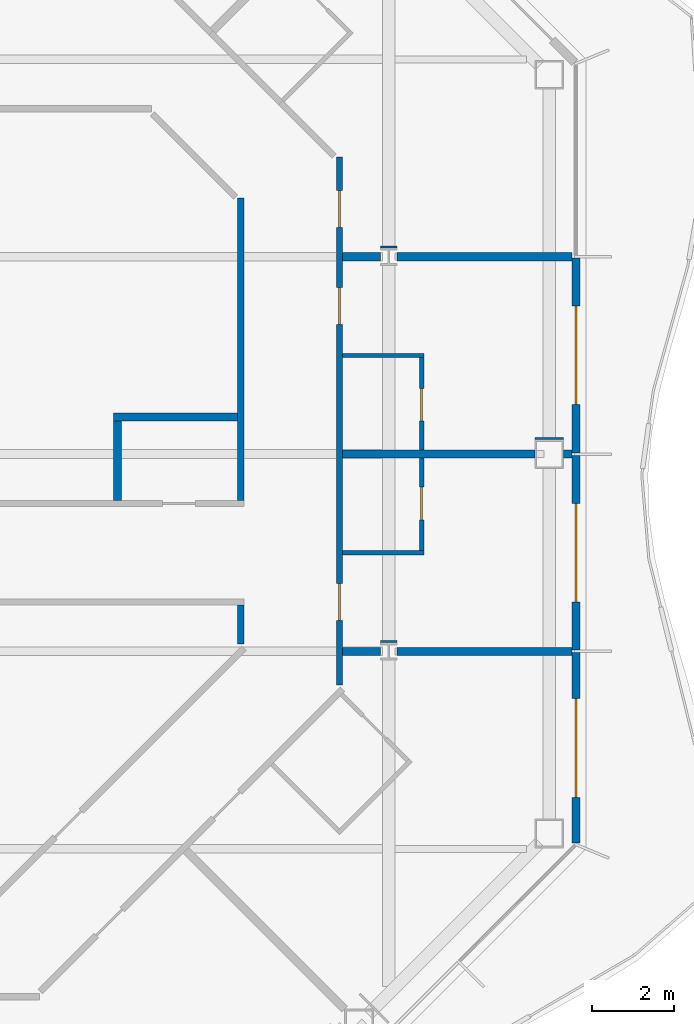
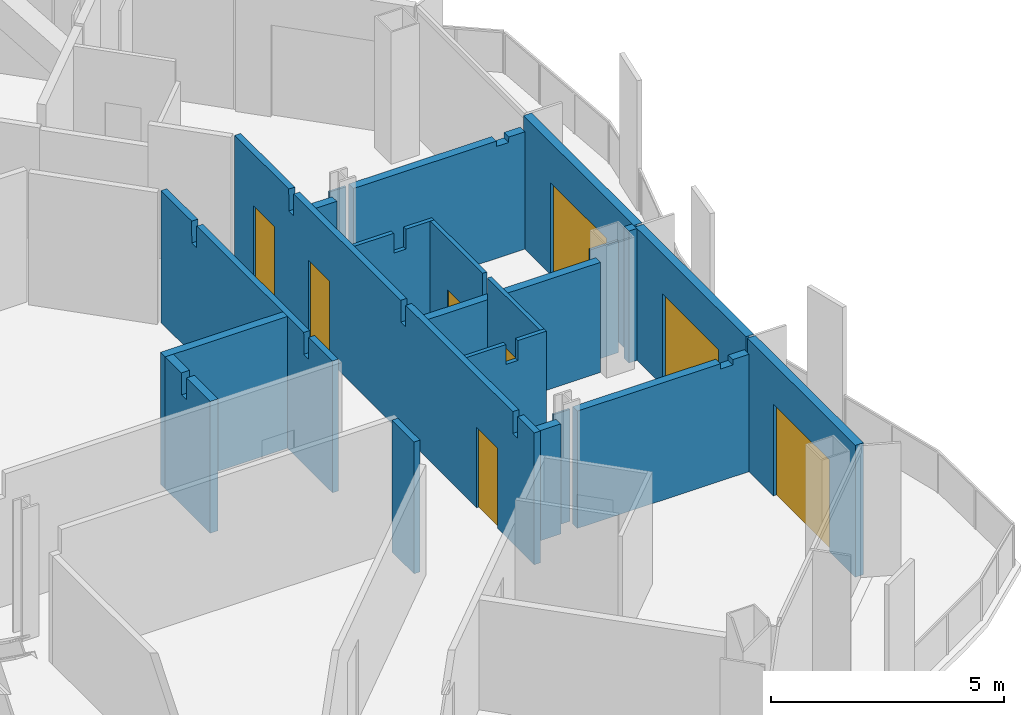
# One storey, part 11 of 21: 21 walls, 8 doors, 8 openings.
"""IFC4 building model written with IfcOpenShell, lengths in metres."""

from ifc_helpers import new_model, si_unit, direction, frame, frame_2d, origin, place, context, subcontext, project, spatial, polyline, rectangle, outline, extrude, material, layer, layer_set, type_object, element, fill, save


model = new_model("IFC4")

# Units and contexts
model_context = context("Model", 3, precision=1e-05, world=origin(), true_north=direction((0.0, 1.0)))
body_context = subcontext(model_context, "Body", "Model", "MODEL_VIEW")
ifc_project = project(units=[si_unit("LENGTHUNIT", "METRE"), si_unit("AREAUNIT", "SQUARE_METRE"), si_unit("VOLUMEUNIT", "CUBIC_METRE"), si_unit("PLANEANGLEUNIT", "RADIAN"), si_unit("MASSUNIT", "GRAM", prefix="KILO")], contexts=[model_context])

# Site, building, storey
site_placement = place(None, origin())
site = spatial("IfcSite", under=ifc_project, at=site_placement, CompositionType="ELEMENT")
building_placement = place(site_placement, origin())
building = spatial("IfcBuilding", under=site, at=building_placement, Name="Cairn Pilgrim Tower", CompositionType="ELEMENT")
storey_placement = place(building_placement, frame((0.0, 0.0, 136.199951171875)))
storey = spatial("IfcBuildingStorey", under=building, at=storey_placement, Name="L33", CompositionType="ELEMENT", Elevation=136.199951171875)

# Wall, opening, door
ifc_material_1 = material(Name="Bronze anodised aluminium insulated sandwich panel with mineral wool fill", Category="aluminium")
ifc_layer_1 = layer(ifc_material_1, 0.199951171875)
ifc_layer_set_1 = layer_set([ifc_layer_1], Name="BRONZE INFILL FRAME WALL 200")
wall_type_1 = type_object("IfcWallType", Name="BRONZE INFILL FRAME WALL 200", PredefinedType="NOTDEFINED", material=ifc_layer_set_1)
wall_1_placement = place(storey_placement, frame((35.75, -4.656494140625, 0.0), z_axis=(0.0, 0.0, 1.0), x_axis=(0.0, 1.0, 0.0)))
wall_1 = element("IfcWall", 1, at=wall_1_placement, inside=storey, type_object=wall_type_1, Name="Bronze infill frame wall IW-E1", PredefinedType="NOTDEFINED", context=body_context, shape_type="SweptSolid", body=[
    extrude(rectangle(XDim=4.62646484375, YDim=0.199951171875, at=frame_2d((2.313232421875, 0.0))), origin(), (0.0, 0.0, 1.0), 3.449951171875),
])
opening_1_placement = place(wall_1_placement, frame((1.1083984375, 0.0, 0.0)))
opening_1 = element("IfcOpeningElement", 2, at=opening_1_placement, cuts=wall_1, Name="Opening 3305B", PredefinedType="OPENING", context=body_context, shape_type="SweptSolid", body=[
    extrude(rectangle(XDim=2.39990234375, YDim=2.39990234375, at=frame_2d((1.199951171875, 1.199951171875))), frame((0.0, 0.10986328125, 0.0), z_axis=(0.0, -1.0, 0.0), x_axis=(1.0, 0.0, 0.0)), (0.0, 0.0, 1.0), 0.219970703125),
])
ifc_material_2 = material(Name="Bronze anodised aluminium frame with tinted low-E glass", Category="aluminium")
door_type_1 = type_object("IfcDoorType", Name="BALCONY SLIDING DOOR 2400x2400", OperationType="DOUBLE_DOOR_SLIDING", PredefinedType="DOOR", material=ifc_material_2)
door_1_placement = place(opening_1_placement, origin())
door_1 = element("IfcDoor", 3, at=door_1_placement, inside=storey, type_object=door_type_1, Name="Balcony sliding door 3305B", OperationType="SINGLE_SWING_LEFT", OverallHeight=2.39990234375, OverallWidth=2.39990234375, PredefinedType="DOOR", context=body_context, shape_type="SweptSolid", body=[
    extrude(rectangle(XDim=2.39990234375, YDim=2.39990234375, at=frame_2d((1.199951171875, 1.199951171875))), frame((0.0, 0.02490234375, 0.0), z_axis=(0.0, -1.0, 0.0), x_axis=(1.0, 0.0, 0.0)), (0.0, 0.0, 1.0), 0.050048828125),
])
fill(opening_1, door_1)

wall_2_placement = place(storey_placement, frame((35.75, 0.030029296875, 0.0), z_axis=(0.0, 0.0, 1.0), x_axis=(0.0, 1.0, 0.0)))
wall_2 = element("IfcWall", 4, at=wall_2_placement, inside=storey, type_object=wall_type_1, Name="Bronze infill frame wall IW-E2", PredefinedType="NOTDEFINED", context=body_context, shape_type="SweptSolid", body=[
    extrude(rectangle(XDim=4.739990234375, YDim=0.199951171875, at=frame_2d((2.3701171875, 0.0))), origin(), (0.0, 0.0, 1.0), 3.449951171875),
])
opening_2_placement = place(wall_2_placement, frame((1.169921875, 0.0, 0.0)))
opening_2 = element("IfcOpeningElement", 5, at=opening_2_placement, cuts=wall_2, Name="Opening 3306B", PredefinedType="OPENING", context=body_context, shape_type="SweptSolid", body=[
    extrude(rectangle(XDim=2.39990234375, YDim=2.39990234375, at=frame_2d((1.199951171875, 1.199951171875))), frame((0.0, 0.10986328125, 0.0), z_axis=(0.0, -1.0, 0.0), x_axis=(1.0, 0.0, 0.0)), (0.0, 0.0, 1.0), 0.219970703125),
])
door_2_placement = place(opening_2_placement, origin())
door_2 = element("IfcDoor", 6, at=door_2_placement, inside=storey, type_object=door_type_1, Name="Balcony sliding door 3306B", OperationType="SINGLE_SWING_LEFT", OverallHeight=2.39990234375, OverallWidth=2.39990234375, PredefinedType="DOOR", context=body_context, shape_type="SweptSolid", body=[
    extrude(rectangle(XDim=2.39990234375, YDim=2.39990234375, at=frame_2d((1.199951171875, 1.199951171875))), frame((0.0, 0.02490234375, 0.0), z_axis=(0.0, -1.0, 0.0), x_axis=(1.0, 0.0, 0.0)), (0.0, 0.0, 1.0), 0.050048828125),
])
fill(opening_2, door_2)

wall_3_placement = place(storey_placement, frame((35.75, 4.830078125, 0.0), z_axis=(0.0, 0.0, 1.0), x_axis=(0.0, 1.0, 0.0)))
wall_3 = element("IfcWall", 7, at=wall_3_placement, inside=storey, type_object=wall_type_1, Name="Bronze infill frame wall IW-E3", PredefinedType="NOTDEFINED", context=body_context, shape_type="SweptSolid", body=[
    extrude(rectangle(XDim=4.739990234375, YDim=0.199951171875, at=frame_2d((2.3701171875, 0.0))), origin(), (0.0, 0.0, 1.0), 3.449951171875),
])
opening_3_placement = place(wall_3_placement, frame((1.169921875, 0.0, 0.0)))
opening_3 = element("IfcOpeningElement", 8, at=opening_3_placement, cuts=wall_3, Name="Opening 3307B", PredefinedType="OPENING", context=body_context, shape_type="SweptSolid", body=[
    extrude(rectangle(XDim=2.39990234375, YDim=2.39990234375, at=frame_2d((1.199951171875, 1.199951171875))), frame((0.0, 0.10986328125, 0.0), z_axis=(0.0, -1.0, 0.0), x_axis=(1.0, 0.0, 0.0)), (0.0, 0.0, 1.0), 0.219970703125),
])
door_3_placement = place(opening_3_placement, origin())
door_3 = element("IfcDoor", 9, at=door_3_placement, inside=storey, type_object=door_type_1, Name="Balcony sliding door 3307B", OperationType="SINGLE_SWING_LEFT", OverallHeight=2.39990234375, OverallWidth=2.39990234375, PredefinedType="DOOR", context=body_context, shape_type="SweptSolid", body=[
    extrude(rectangle(XDim=2.39990234375, YDim=2.39990234375, at=frame_2d((1.199951171875, 1.199951171875))), frame((0.0, 0.02490234375, 0.0), z_axis=(0.0, -1.0, 0.0), x_axis=(1.0, 0.0, 0.0)), (0.0, 0.0, 1.0), 0.050048828125),
])
fill(opening_3, door_3)

# Wall
ifc_material_3 = material(Name="Gypsum partition")
ifc_layer_2 = layer(ifc_material_3, 0.10009765625)
ifc_layer_set_2 = layer_set([ifc_layer_2], Name="PARTITION 100 DRYWALL")
wall_type_2 = type_object("IfcWallType", Name="PARTITION 100 DRYWALL", PredefinedType="PARTITIONING", material=ifc_layer_set_2)
wall_4_placement = place(storey_placement, frame((30.074951171875, 2.39990234375, 0.0), z_axis=(0.0, 0.0, 1.0), x_axis=(1.0, 0.0, 0.0)))
element("IfcWall", 10, at=wall_4_placement, inside=storey, type_object=wall_type_2, Name="PARTITION W049", PredefinedType="PARTITIONING", context=body_context, shape_type="SweptSolid", body=[
    extrude(outline(polyline([(0.0, 0.0), (1.97509765625, 0.0), (1.97509765625, 3.449951171875), (1.27490234375, 3.449951171875), (1.27294921875, 2.929931640625), (0.97509765625, 2.929931640625), (0.972900390625, 3.449951171875), (0.0, 3.449951171875), (0.0, 0.0)])), frame((0.0, 0.050048828125, 0.0), z_axis=(0.0, -1.0, 0.0), x_axis=(1.0, 0.0, 0.0)), (0.0, 0.0, 1.0), 0.10009765625),
])

# Wall, opening, door
wall_5_placement = place(storey_placement, frame((32.0, 2.449951171875, 0.0), z_axis=(0.0, 0.0, 1.0), x_axis=(0.0, 1.0, 0.0)))
wall_5 = element("IfcWall", 11, at=wall_5_placement, inside=storey, type_object=wall_type_2, Name="PARTITION W050", PredefinedType="PARTITIONING", context=body_context, shape_type="SweptSolid", body=[
    extrude(rectangle(XDim=2.25, YDim=0.10009765625, at=frame_2d((1.125, 0.0))), origin(), (0.0, 0.0, 1.0), 3.449951171875),
])
opening_4_placement = place(wall_5_placement, frame((0.75, 0.0, 0.0)))
opening_4 = element("IfcOpeningElement", 12, at=opening_4_placement, cuts=wall_5, Name="Opening 3306A", PredefinedType="OPENING", context=body_context, shape_type="SweptSolid", body=[
    extrude(rectangle(XDim=0.800048828125, YDim=2.10009765625, at=frame_2d((0.39990234375, 1.050048828125))), frame((0.0, 0.06005859375, 0.0), z_axis=(0.0, -1.0, 0.0), x_axis=(1.0, 0.0, 0.0)), (0.0, 0.0, 1.0), 0.1201171875),
])
ifc_material_4 = material(Name="Timber door leaf", Category="wood")
door_type_2 = type_object("IfcDoorType", Name="WC DOOR 800x2100", OperationType="NOTDEFINED", PredefinedType="DOOR", material=ifc_material_4)
door_4_placement = place(opening_4_placement, frame((0.800048828125, 0.0, 0.0), z_axis=(0.0, 0.0, 1.0), x_axis=(-1.0, 0.0, 0.0)))
door_4 = element("IfcDoor", 13, at=door_4_placement, inside=storey, type_object=door_type_2, Name="DOOR 3306A", OperationType="SINGLE_SWING_LEFT", OverallHeight=2.10009765625, OverallWidth=0.800048828125, PredefinedType="DOOR", context=body_context, shape_type="SweptSolid", body=[
    extrude(rectangle(XDim=0.800048828125, YDim=2.10009765625, at=frame_2d((0.39990234375, 1.050048828125))), frame((0.0, 0.02490234375, 0.0), z_axis=(0.0, -1.0, 0.0), x_axis=(1.0, 0.0, 0.0)), (0.0, 0.0, 1.0), 0.050048828125),
])
fill(opening_4, door_4)

wall_6_placement = place(storey_placement, frame((32.0, 4.89990234375, 0.0), z_axis=(0.0, 0.0, 1.0), x_axis=(0.0, 1.0, 0.0)))
wall_6 = element("IfcWall", 14, at=wall_6_placement, inside=storey, type_object=wall_type_2, Name="PARTITION W063", PredefinedType="PARTITIONING", context=body_context, shape_type="SweptSolid", body=[
    extrude(rectangle(XDim=2.25, YDim=0.10009765625, at=frame_2d((1.125, 0.0))), origin(), (0.0, 0.0, 1.0), 3.449951171875),
])
opening_5_placement = place(wall_6_placement, frame((0.699951171875, 0.0, 0.0)))
opening_5 = element("IfcOpeningElement", 15, at=opening_5_placement, cuts=wall_6, Name="Opening 3307A", PredefinedType="OPENING", context=body_context, shape_type="SweptSolid", body=[
    extrude(rectangle(XDim=0.800048828125, YDim=2.10009765625, at=frame_2d((0.39990234375, 1.050048828125))), frame((0.0, 0.06005859375, 0.0), z_axis=(0.0, -1.0, 0.0), x_axis=(1.0, 0.0, 0.0)), (0.0, 0.0, 1.0), 0.1201171875),
])
door_5_placement = place(opening_5_placement, frame((0.800048828125, 0.0, 0.0), z_axis=(0.0, 0.0, 1.0), x_axis=(-1.0, 0.0, 0.0)))
door_5 = element("IfcDoor", 16, at=door_5_placement, inside=storey, type_object=door_type_2, Name="DOOR 3307A", OperationType="SINGLE_SWING_LEFT", OverallHeight=2.10009765625, OverallWidth=0.800048828125, PredefinedType="DOOR", context=body_context, shape_type="SweptSolid", body=[
    extrude(rectangle(XDim=0.800048828125, YDim=2.10009765625, at=frame_2d((0.39990234375, 1.050048828125))), frame((0.0, 0.02490234375, 0.0), z_axis=(0.0, -1.0, 0.0), x_axis=(1.0, 0.0, 0.0)), (0.0, 0.0, 1.0), 0.050048828125),
])
fill(opening_5, door_5)

# Wall
wall_7_placement = place(storey_placement, frame((30.074951171875, 7.199951171875, 0.0), z_axis=(0.0, 0.0, 1.0), x_axis=(1.0, 0.0, 0.0)))
element("IfcWall", 17, at=wall_7_placement, inside=storey, type_object=wall_type_2, Name="PARTITION W066", PredefinedType="PARTITIONING", context=body_context, shape_type="SweptSolid", body=[
    extrude(outline(polyline([(0.0, 0.0), (1.97509765625, 0.0), (1.97509765625, 3.449951171875), (1.27490234375, 3.449951171875), (1.27294921875, 2.929931640625), (0.97509765625, 2.929931640625), (0.972900390625, 3.449951171875), (0.0, 3.449951171875), (0.0, 0.0)])), frame((0.0, 0.050048828125, 0.0), z_axis=(0.0, -1.0, 0.0), x_axis=(1.0, 0.0, 0.0)), (0.0, 0.0, 1.0), 0.10009765625),
])

# Wall, openings, doors
ifc_layer_3 = layer(ifc_material_3, 0.14990234375)
ifc_layer_set_3 = layer_set([ifc_layer_3], Name="PARTITION 150 DRYWALL EI 60")
wall_type_3 = type_object("IfcWallType", Name="PARTITION 150 DRYWALL EI 60", PredefinedType="PARTITIONING", material=ifc_layer_set_3)
wall_8_placement = place(storey_placement, frame((30.0, -0.81298828125, 0.0), z_axis=(0.0, 0.0, 1.0), x_axis=(0.0, 1.0, 0.0)))
wall_8 = element("IfcWall", 18, at=wall_8_placement, inside=storey, type_object=wall_type_3, Name="PARTITION W042", PredefinedType="PARTITIONING", context=body_context, shape_type="SweptSolid", body=[
    extrude(outline(polyline([(0.0, 0.0), (12.833984375, 0.0), (12.833984375, 3.449951171875), (10.517822265625, 3.449951171875), (10.515869140625, 2.880126953125), (10.307861328125, 2.880126953125), (10.305908203125, 3.449951171875), (5.718017578125, 3.449951171875), (5.7158203125, 2.880126953125), (5.5078125, 2.880126953125), (5.505859375, 3.449951171875), (0.91796875, 3.449951171875), (0.916015625, 2.880126953125), (0.7080078125, 2.880126953125), (0.705810546875, 3.449951171875), (0.0, 3.449951171875), (0.0, 0.0)])), frame((0.0, 0.074951171875, 0.0), z_axis=(0.0, -1.0, 0.0), x_axis=(1.0, 0.0, 0.0)), (0.0, 0.0, 1.0), 0.14990234375),
])
opening_6_placement = place(wall_8_placement, frame((1.56298828125, 0.0, 0.0)))
opening_6 = element("IfcOpeningElement", 19, at=opening_6_placement, cuts=wall_8, Name="Opening 3306", PredefinedType="OPENING", context=body_context, shape_type="SweptSolid", body=[
    extrude(rectangle(XDim=0.89990234375, YDim=2.10009765625, at=frame_2d((0.449951171875, 1.050048828125))), frame((0.0, 0.0849609375, 0.0), z_axis=(0.0, -1.0, 0.0), x_axis=(1.0, 0.0, 0.0)), (0.0, 0.0, 1.0), 0.169921875),
])
opening_7_placement = place(wall_8_placement, frame((8.762939453125, 0.0, 0.0)))
opening_7 = element("IfcOpeningElement", 20, at=opening_7_placement, cuts=wall_8, Name="Opening 3307", PredefinedType="OPENING", context=body_context, shape_type="SweptSolid", body=[
    extrude(rectangle(XDim=0.89990234375, YDim=2.10009765625, at=frame_2d((0.449951171875, 1.050048828125))), frame((0.0, 0.0849609375, 0.0), z_axis=(0.0, -1.0, 0.0), x_axis=(1.0, 0.0, 0.0)), (0.0, 0.0, 1.0), 0.169921875),
])
opening_8_placement = place(wall_8_placement, frame((11.120849609375, 0.0, 0.0)))
opening_8 = element("IfcOpeningElement", 21, at=opening_8_placement, cuts=wall_8, Name="Opening 3308", PredefinedType="OPENING", context=body_context, shape_type="SweptSolid", body=[
    extrude(rectangle(XDim=0.89990234375, YDim=2.10009765625, at=frame_2d((0.449951171875, 1.050048828125))), frame((0.0, 0.0849609375, 0.0), z_axis=(0.0, -1.0, 0.0), x_axis=(1.0, 0.0, 0.0)), (0.0, 0.0, 1.0), 0.169921875),
])
door_type_3 = type_object("IfcDoorType", Name="ROOM DOOR 900x2100 FD30S", OperationType="NOTDEFINED", PredefinedType="DOOR", material=ifc_material_4)
door_6_placement = place(opening_6_placement, frame((0.89990234375, 0.0, 0.0), z_axis=(0.0, 0.0, 1.0), x_axis=(-1.0, 0.0, 0.0)))
door_6 = element("IfcDoor", 22, at=door_6_placement, inside=storey, type_object=door_type_3, Name="DOOR 3306", OperationType="SINGLE_SWING_LEFT", OverallHeight=2.10009765625, OverallWidth=0.89990234375, PredefinedType="DOOR", context=body_context, shape_type="SweptSolid", body=[
    extrude(rectangle(XDim=0.89990234375, YDim=2.10009765625, at=frame_2d((0.449951171875, 1.050048828125))), frame((0.0, 0.02490234375, 0.0), z_axis=(0.0, -1.0, 0.0), x_axis=(1.0, 0.0, 0.0)), (0.0, 0.0, 1.0), 0.050048828125),
])
fill(opening_6, door_6)
door_7_placement = place(opening_7_placement, frame((0.89990234375, 0.0, 0.0), z_axis=(0.0, 0.0, 1.0), x_axis=(-1.0, 0.0, 0.0)))
door_7 = element("IfcDoor", 23, at=door_7_placement, inside=storey, type_object=door_type_3, Name="DOOR 3307", OperationType="SINGLE_SWING_LEFT", OverallHeight=2.10009765625, OverallWidth=0.89990234375, PredefinedType="DOOR", context=body_context, shape_type="SweptSolid", body=[
    extrude(rectangle(XDim=0.89990234375, YDim=2.10009765625, at=frame_2d((0.449951171875, 1.050048828125))), frame((0.0, 0.02490234375, 0.0), z_axis=(0.0, -1.0, 0.0), x_axis=(1.0, 0.0, 0.0)), (0.0, 0.0, 1.0), 0.050048828125),
])
fill(opening_7, door_7)
door_8_placement = place(opening_8_placement, frame((0.89990234375, 0.0, 0.0), z_axis=(0.0, 0.0, 1.0), x_axis=(-1.0, 0.0, 0.0)))
door_8 = element("IfcDoor", 24, at=door_8_placement, inside=storey, type_object=door_type_3, Name="DOOR 3308", OperationType="SINGLE_SWING_LEFT", OverallHeight=2.10009765625, OverallWidth=0.89990234375, PredefinedType="DOOR", context=body_context, shape_type="SweptSolid", body=[
    extrude(rectangle(XDim=0.89990234375, YDim=2.10009765625, at=frame_2d((0.449951171875, 1.050048828125))), frame((0.0, 0.02490234375, 0.0), z_axis=(0.0, -1.0, 0.0), x_axis=(1.0, 0.0, 0.0)), (0.0, 0.0, 1.0), 0.050048828125),
])
fill(opening_8, door_8)

# Walls
wall_9_placement = place(storey_placement, frame((27.60009765625, 0.18115234375, 0.0), z_axis=(0.0, 0.0, 1.0), x_axis=(0.0, 1.0, 0.0)))
element("IfcWall", 25, at=wall_9_placement, inside=storey, type_object=wall_type_3, Name="PARTITION W046", PredefinedType="PARTITIONING", context=body_context, shape_type="SweptSolid", body=[
    extrude(rectangle(XDim=0.94384765625, YDim=0.14990234375, at=frame_2d((0.471923828125, 0.0))), origin(), (0.0, 0.0, 1.0), 3.449951171875),
])
wall_10_placement = place(storey_placement, frame((27.60009765625, 3.675048828125, 0.0), z_axis=(0.0, 0.0, 1.0), x_axis=(0.0, 1.0, 0.0)))
element("IfcWall", 26, at=wall_10_placement, inside=storey, type_object=wall_type_3, Name="PARTITION W057", PredefinedType="PARTITIONING", context=body_context, shape_type="SweptSolid", body=[
    extrude(outline(polyline([(0.0, 0.0), (7.35205078125, 0.0), (7.35205078125, 3.449951171875), (6.030029296875, 3.449951171875), (6.028076171875, 2.880126953125), (5.820068359375, 2.880126953125), (5.818115234375, 3.449951171875), (1.22998046875, 3.449951171875), (1.22802734375, 2.880126953125), (1.02001953125, 2.880126953125), (1.01806640625, 3.449951171875), (0.0, 3.449951171875), (0.0, 0.0)])), frame((0.0, 0.074951171875, 0.0), z_axis=(0.0, -1.0, 0.0), x_axis=(1.0, 0.0, 0.0)), (0.0, 0.0, 1.0), 0.14990234375),
])
ifc_layer_4 = layer(ifc_material_3, 0.050048828125)
ifc_layer_set_4 = layer_set([ifc_layer_4], Name="PARTITION 50 DRYWALL EI 60")
wall_type_4 = type_object("IfcWallType", Name="PARTITION 50 DRYWALL EI 60", PredefinedType="PARTITIONING", material=ifc_layer_set_4)
wall_11_placement = place(storey_placement, frame((30.99560546875, 0.237548828125, 0.0), z_axis=(0.0, 0.0, 1.0), x_axis=(1.0, 0.0, 0.0)))
element("IfcWall", 27, at=wall_11_placement, inside=storey, type_object=wall_type_4, Name="COLUMN CASING WC18", PredefinedType="PARTITIONING", context=body_context, shape_type="SweptSolid", body=[
    extrude(rectangle(XDim=0.408935546875, YDim=0.050048828125, at=frame_2d((0.20458984375, 0.0))), origin(), (0.0, 0.0, 1.0), 2.929931640625),
])
wall_12_placement = place(storey_placement, frame((34.75, 5.175048828125, 0.0), z_axis=(0.0, 0.0, 1.0), x_axis=(1.0, 0.0, 0.0)))
element("IfcWall", 28, at=wall_12_placement, inside=storey, type_object=wall_type_4, Name="COLUMN CASING WC22", PredefinedType="PARTITIONING", context=body_context, shape_type="SweptSolid", body=[
    extrude(rectangle(XDim=0.699951171875, YDim=0.050048828125, at=frame_2d((0.35009765625, 0.0))), origin(), (0.0, 0.0, 1.0), 2.929931640625),
])
wall_13_placement = place(storey_placement, frame((30.99560546875, 9.83740234375, 0.0), z_axis=(0.0, 0.0, 1.0), x_axis=(1.0, 0.0, 0.0)))
element("IfcWall", 29, at=wall_13_placement, inside=storey, type_object=wall_type_4, Name="COLUMN CASING WC23", PredefinedType="PARTITIONING", context=body_context, shape_type="SweptSolid", body=[
    extrude(rectangle(XDim=0.408935546875, YDim=0.050048828125, at=frame_2d((0.20458984375, 0.0))), origin(), (0.0, 0.0, 1.0), 2.929931640625),
])
ifc_layer_5 = layer(ifc_material_3, 0.199951171875)
ifc_layer_set_5 = layer_set([ifc_layer_5], Name="SHAFT WALL 200 GYPSUM EI 60")
wall_type_5 = type_object("IfcWallType", Name="SHAFT WALL 200 GYPSUM EI 60", PredefinedType="PARTITIONING", material=ifc_layer_set_5)
wall_14_placement = place(storey_placement, frame((30.074951171875, 0.0, 0.0), z_axis=(0.0, 0.0, 1.0), x_axis=(1.0, 0.0, 0.0)))
element("IfcWall", 30, at=wall_14_placement, inside=storey, type_object=wall_type_5, Name="PARTITION W044", PredefinedType="PARTITIONING", context=body_context, shape_type="SweptSolid", body=[
    extrude(rectangle(XDim=0.920654296875, YDim=0.199951171875, at=frame_2d((0.46044921875, 0.0))), origin(), (0.0, 0.0, 1.0), 2.880126953125),
])
wall_15_placement = place(storey_placement, frame((31.404541015625, 0.0, 0.0), z_axis=(0.0, 0.0, 1.0), x_axis=(1.0, 0.0, 0.0)))
element("IfcWall", 31, at=wall_15_placement, inside=storey, type_object=wall_type_5, Name="PARTITION W045", PredefinedType="PARTITIONING", context=body_context, shape_type="SweptSolid", body=[
    extrude(outline(polyline([(0.0, 0.0), (4.245361328125, 0.0), (4.24560546875, 3.070068359375), (3.845458984375, 3.070068359375), (3.843505859375, 2.929931640625), (3.54541015625, 2.929931640625), (3.54345703125, 3.070068359375), (0.0, 3.070068359375), (0.0, 0.0)])), frame((0.0, 0.10009765625, 0.0), z_axis=(0.0, -1.0, 0.0), x_axis=(1.0, 0.0, 0.0)), (0.0, 0.0, 1.0), 0.199951171875),
])
wall_16_placement = place(storey_placement, frame((24.60009765625, 3.675048828125, 0.0), z_axis=(0.0, 0.0, 1.0), x_axis=(0.0, 1.0, 0.0)))
element("IfcWall", 32, at=wall_16_placement, inside=storey, type_object=wall_type_5, Name="PARTITION W056", PredefinedType="PARTITIONING", context=body_context, shape_type="SweptSolid", body=[
    extrude(outline(polyline([(0.0, 0.0), (1.925048828125, 0.0), (1.925048828125, 3.449951171875), (1.22998046875, 3.449951171875), (1.22802734375, 2.880126953125), (1.02001953125, 2.880126953125), (1.01806640625, 3.449951171875), (0.0, 3.449951171875), (0.0, 0.0)])), frame((0.0, 0.10009765625, 0.0), z_axis=(0.0, -1.0, 0.0), x_axis=(1.0, 0.0, 0.0)), (0.0, 0.0, 1.0), 0.199951171875),
])
wall_17_placement = place(storey_placement, frame((30.074951171875, 4.800048828125, 0.0), z_axis=(0.0, 0.0, 1.0), x_axis=(1.0, 0.0, 0.0)))
element("IfcWall", 33, at=wall_17_placement, inside=storey, type_object=wall_type_5, Name="PARTITION W060", PredefinedType="PARTITIONING", context=body_context, shape_type="SweptSolid", body=[
    extrude(rectangle(XDim=4.675048828125, YDim=0.199951171875, at=frame_2d((2.33740234375, 0.0))), origin(), (0.0, 0.0, 1.0), 2.880126953125),
])
wall_18_placement = place(storey_placement, frame((35.449951171875, 4.800048828125, 0.0), z_axis=(0.0, 0.0, 1.0), x_axis=(1.0, 0.0, 0.0)))
element("IfcWall", 34, at=wall_18_placement, inside=storey, type_object=wall_type_5, Name="PARTITION W061", PredefinedType="PARTITIONING", context=body_context, shape_type="SweptSolid", body=[
    extrude(rectangle(XDim=0.199951171875, YDim=0.199951171875, at=frame_2d((0.10009765625, 0.0))), origin(), (0.0, 0.0, 1.0), 3.449951171875),
])
wall_19_placement = place(storey_placement, frame((24.5, 5.699951171875, 0.0), z_axis=(0.0, 0.0, 1.0), x_axis=(1.0, 0.0, 0.0)))
element("IfcWall", 35, at=wall_19_placement, inside=storey, type_object=wall_type_5, Name="PARTITION W064", PredefinedType="PARTITIONING", context=body_context, shape_type="SweptSolid", body=[
    extrude(rectangle(XDim=3.02490234375, YDim=0.199951171875, at=frame_2d((1.512451171875, 0.0))), origin(), (0.0, 0.0, 1.0), 3.449951171875),
])
wall_20_placement = place(storey_placement, frame((30.074951171875, 9.60009765625, 0.0), z_axis=(0.0, 0.0, 1.0), x_axis=(1.0, 0.0, 0.0)))
element("IfcWall", 36, at=wall_20_placement, inside=storey, type_object=wall_type_5, Name="PARTITION W067", PredefinedType="PARTITIONING", context=body_context, shape_type="SweptSolid", body=[
    extrude(rectangle(XDim=0.920654296875, YDim=0.199951171875, at=frame_2d((0.46044921875, 0.0))), origin(), (0.0, 0.0, 1.0), 2.880126953125),
])
wall_21_placement = place(storey_placement, frame((31.404541015625, 9.60009765625, 0.0), z_axis=(0.0, 0.0, 1.0), x_axis=(1.0, 0.0, 0.0)))
element("IfcWall", 37, at=wall_21_placement, inside=storey, type_object=wall_type_5, Name="PARTITION W068", PredefinedType="PARTITIONING", context=body_context, shape_type="SweptSolid", body=[
    extrude(outline(polyline([(0.0, 0.0), (4.245361328125, 0.0), (4.24560546875, 3.070068359375), (3.845458984375, 3.070068359375), (3.843505859375, 2.929931640625), (3.54541015625, 2.929931640625), (3.54345703125, 3.070068359375), (0.0, 3.070068359375), (0.0, 0.0)])), frame((0.0, 0.10009765625, 0.0), z_axis=(0.0, -1.0, 0.0), x_axis=(1.0, 0.0, 0.0)), (0.0, 0.0, 1.0), 0.199951171875),
])

save(model, "model.ifc")
